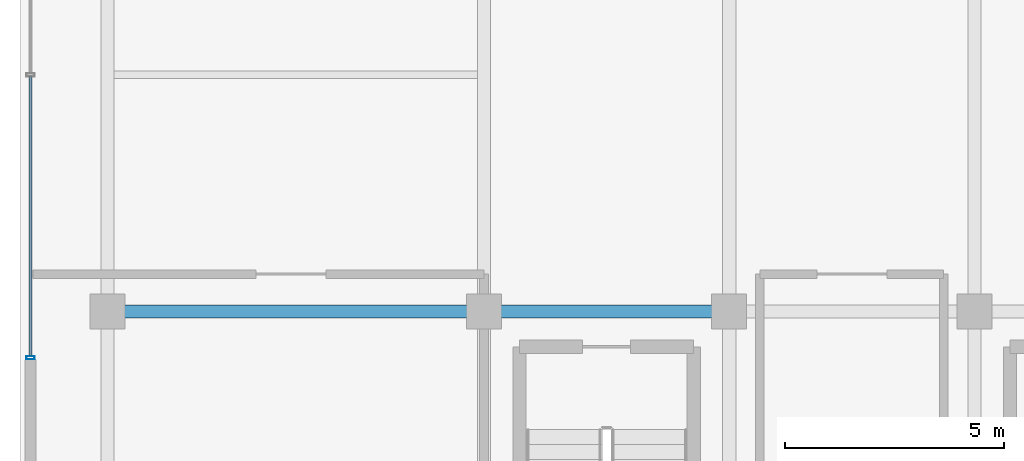
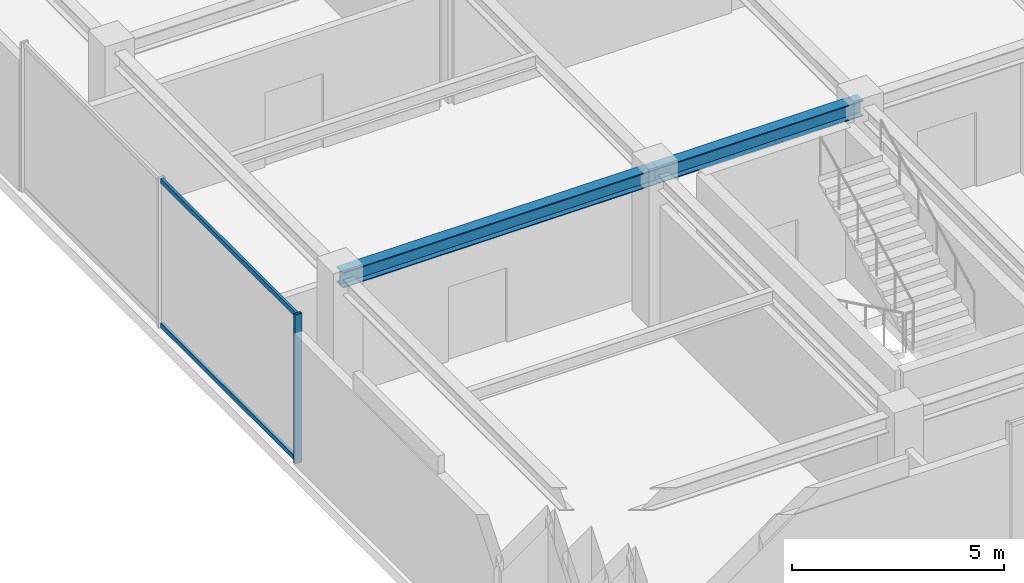
# One storey, part 3 of 18: 3 members, 2 beams, 1 element without a shape of its own.
"""IFC4 building model written with IfcOpenShell, lengths in metres."""

import ifcopenshell
import ifcopenshell.guid

model = None  # the IFC model being written
_history = None  # IfcOwnerHistory: only IFC2X3 demands one
_inside = {}  # id of a spatial element -> (the spatial element, [elements in it])
_under = {}  # id of a project, library or spatial element -> (it, [spatial elements below it])
_declared = {}  # id of a project -> (the project, [libraries it declares])
_typed = {}  # id of a type object -> (the type object, [elements of that type])
_made_of = {}  # id of a material, layer set ... -> (it, [elements and type objects made of it])


def new_model(schema):
    """Start an empty IFC model of exactly this schema.

    Asked for "IFC4X3", IfcOpenShell would pick the latest addendum, in which some entities
    have other attributes; the version numbers below select the first issue.
    IFC2X3 requires an IfcOwnerHistory on every rooted entity: one is made here for all.
    """
    global model, _history
    if schema == "IFC4X3":
        model = ifcopenshell.file(schema_version=(4, 3, 0, 0))
    else:
        model = ifcopenshell.file(schema=schema)
    _inside.clear()
    _under.clear()
    _declared.clear()
    _typed.clear()
    _made_of.clear()
    _history = None
    if model.schema == "IFC2X3":
        org = make("IfcOrganization", Name="unknown")
        user = make(
            "IfcPersonAndOrganization",
            ThePerson=make("IfcPerson", FamilyName="unknown"),
            TheOrganization=org,
        )
        app = make(
            "IfcApplication",
            ApplicationDeveloper=org,
            Version="unknown",
            ApplicationFullName="unknown",
            ApplicationIdentifier="unknown",
        )
        _history = make(
            "IfcOwnerHistory",
            OwningUser=user,
            OwningApplication=app,
            ChangeAction="ADDED",
            CreationDate=0,
        )
    return model


def make(cls, **values):
    """One entity of the class cls with the attributes given. An attribute that is None is left unset."""
    return model.create_entity(
        cls, **{name: value for name, value in values.items() if value is not None}
    )


def rooted(cls, **values):
    """An entity with a GlobalId (a new one), such as an element, a storey or a relation."""
    return make(cls, GlobalId=ifcopenshell.guid.new(), OwnerHistory=_history, **values)


def si_unit(unit_type, name, prefix=None):
    """IfcSIUnit, for example si_unit("LENGTHUNIT", "METRE", prefix="MILLI")."""
    return make("IfcSIUnit", UnitType=unit_type, Prefix=prefix, Name=name)


def assignment(units):
    """IfcUnitAssignment: the units of a project."""
    return None if units is None else make("IfcUnitAssignment", Units=units)


def point(xyz):
    """IfcCartesianPoint."""
    return None if xyz is None else make("IfcCartesianPoint", Coordinates=xyz)


def direction(xyz):
    """IfcDirection."""
    return None if xyz is None else make("IfcDirection", DirectionRatios=xyz)


def frame(location, z_axis=None, x_axis=None):
    """IfcAxis2Placement3D, a coordinate frame: its origin and axes. An axis left out is left unset."""
    return make(
        "IfcAxis2Placement3D",
        Location=point(location),
        Axis=direction(z_axis),
        RefDirection=direction(x_axis),
    )


def frame_2d(location, x_axis=None):
    """IfcAxis2Placement2D, a coordinate frame in the plane: its origin and x axis."""
    return make(
        "IfcAxis2Placement2D", Location=point(location), RefDirection=direction(x_axis)
    )


def origin():
    """The frame at (0, 0, 0) with its axes left unset."""
    return frame((0.0, 0.0, 0.0))


def origin_2d():
    """The frame at (0, 0) in the plane with its x axis left unset."""
    return frame_2d((0.0, 0.0))


def place(relative_to, where):
    """IfcLocalPlacement: puts the frame where relative to a parent placement (None: the world)."""
    return make(
        "IfcLocalPlacement", PlacementRelTo=relative_to, RelativePlacement=where
    )


def context(
    kind, dimensions, precision=None, world=None, true_north=None, identifier=None
):
    """IfcGeometricRepresentationContext, for example the 3D "Model" context."""
    return make(
        "IfcGeometricRepresentationContext",
        ContextIdentifier=identifier,
        ContextType=kind,
        CoordinateSpaceDimension=dimensions,
        Precision=precision,
        WorldCoordinateSystem=world,
        TrueNorth=true_north,
    )


def subcontext(parent, identifier, kind, view, scale=None):
    """IfcGeometricRepresentationSubContext, for example "Body" below "Model"."""
    return make(
        "IfcGeometricRepresentationSubContext",
        ContextIdentifier=identifier,
        ContextType=kind,
        ParentContext=parent,
        TargetScale=scale,
        TargetView=view,
    )


def project(units=None, contexts=None):
    """IfcProject with its units and contexts."""
    return rooted(
        "IfcProject",
        Name="project",
        RepresentationContexts=contexts,
        UnitsInContext=assignment(units),
    )


def spatial(cls, under=None, at=None, **own):
    """A site, building, storey or space (cls), placed at a placement, below another one or the project."""
    s = rooted(cls, ObjectPlacement=at, **own)
    if under is not None:
        _under.setdefault(under.id(), (under, []))[1].append(s)
    return s


def profile(cls, at=None, kind="AREA", **sizes):
    """A parametric profile (cls). Its sizes go by their IFC names, for example OverallWidth=200.0."""
    return make(cls, ProfileType=kind, Position=at, **sizes)


def hollow_rectangle(**sizes):
    """IfcRectangleHollowProfileDef."""
    return profile("IfcRectangleHollowProfileDef", **sizes)


def i_section(**sizes):
    """IfcIShapeProfileDef."""
    return profile("IfcIShapeProfileDef", **sizes)


def extrude(swept, where, along, depth):
    """IfcExtrudedAreaSolid: the profile swept, set in the frame where, extruded along a direction by depth."""
    return make(
        "IfcExtrudedAreaSolid",
        SweptArea=swept,
        Position=where,
        ExtrudedDirection=direction(along),
        Depth=depth,
    )


def shape(context_of_items, identifier, shape_type, items):
    """IfcShapeRepresentation: the items that make up one representation, for example the "Body"."""
    return make(
        "IfcShapeRepresentation",
        ContextOfItems=context_of_items,
        RepresentationIdentifier=identifier,
        RepresentationType=shape_type,
        Items=items,
    )


def source(mapping_origin, context_of_items, identifier, shape_type, items):
    """IfcRepresentationMap: a shape defined once, which mapped items show again and again."""
    return make(
        "IfcRepresentationMap",
        MappingOrigin=mapping_origin,
        MappedRepresentation=shape(context_of_items, identifier, shape_type, items),
    )


def transform(
    local_origin,
    x_axis=None,
    y_axis=None,
    z_axis=None,
    scale=None,
    scale2=None,
    scale3=None,
    uniform=True,
):
    """IfcCartesianTransformationOperator3D, or its non-uniform kind. x_axis, y_axis, z_axis: its Axis1, 2, 3."""
    if uniform:
        return make(
            "IfcCartesianTransformationOperator3D",
            Axis1=direction(x_axis),
            Axis2=direction(y_axis),
            LocalOrigin=point(local_origin),
            Scale=scale,
            Axis3=direction(z_axis),
        )
    return make(
        "IfcCartesianTransformationOperator3DnonUniform",
        Axis1=direction(x_axis),
        Axis2=direction(y_axis),
        LocalOrigin=point(local_origin),
        Scale=scale,
        Axis3=direction(z_axis),
        Scale2=scale2,
        Scale3=scale3,
    )


def mapped(mapping_source, mapping_target):
    """IfcMappedItem: shows the shape of a source again, moved by a transform."""
    return make(
        "IfcMappedItem", MappingSource=mapping_source, MappingTarget=mapping_target
    )


def material(Name=None, Category=None):
    """IfcMaterial."""
    return make("IfcMaterial", Name=Name, Category=Category)


def material_profile(
    of_material, cross_section, Name=None, Category=None, Priority=None
):
    """IfcMaterialProfile: a cross section and its material."""
    return make(
        "IfcMaterialProfile",
        Name=Name,
        Material=of_material,
        Profile=cross_section,
        Priority=Priority,
        Category=Category,
    )


def profile_set(profiles, Name=None, composite=None):
    """IfcMaterialProfileSet."""
    return make(
        "IfcMaterialProfileSet",
        Name=Name,
        MaterialProfiles=profiles,
        CompositeProfile=composite,
    )


def made_of(thing, what):
    """Note that an element or type object is made of a material, layer set ...; save() writes the relation."""
    if what is not None:
        _made_of.setdefault(what.id(), (what, []))[1].append(thing)
    return thing


def type_object(cls, material=None, **own):
    """A type object (cls), such as IfcWallType, which elements share."""
    return made_of(rooted(cls, **own), material)


def element(
    cls,
    number,
    at=None,
    inside=None,
    cuts=None,
    type_object=None,
    material=None,
    context=None,
    identifier="Body",
    shape_type=None,
    held_by="IfcProductDefinitionShape",
    body=None,
    shapes=None,
    **own,
):
    """One element of the class cls, such as IfcWall. Its Tag is "e" and its number.

    at: its placement. inside: the storey or other place that contains it. cuts: it is an
    opening in that element (IfcRelVoidsElement). A single representation is given by context,
    identifier, shape_type and body (its items); several are given by shapes. held_by: the class
    of the entity that holds the representations. save() writes the other relations.
    """
    e = rooted(cls, Tag="e%d" % number, ObjectPlacement=at, **own)
    if body is not None:
        shapes = [shape(context, identifier, shape_type, body)]
    if shapes is not None:
        e.Representation = make(held_by, Representations=shapes)
    if inside is not None:
        _inside.setdefault(inside.id(), (inside, []))[1].append(e)
    if cuts is not None:
        rooted(
            "IfcRelVoidsElement", RelatingBuildingElement=cuts, RelatedOpeningElement=e
        )
    if type_object is not None:
        _typed.setdefault(type_object.id(), (type_object, []))[1].append(e)
    return made_of(e, material)


def aggregate(whole, parts):
    """IfcRelAggregates: a whole, such as a stair, and the parts it consists of."""
    return rooted("IfcRelAggregates", RelatingObject=whole, RelatedObjects=parts)


def save(model, path):
    """Write the relations noted so far, then the file.

    IfcRelAggregates (storeys below a building ...), IfcRelContainedInSpatialStructure (elements
    in a storey), IfcRelDefinesByType, IfcRelAssociatesMaterial and IfcRelDeclares: one each for
    every whole, place, type object, material and project.
    """
    for whole, parts in _under.values():
        aggregate(whole, parts)
    for where, things in _inside.values():
        rooted(
            "IfcRelContainedInSpatialStructure",
            RelatedElements=things,
            RelatingStructure=where,
        )
    for kind, things in _typed.values():
        rooted("IfcRelDefinesByType", RelatedObjects=things, RelatingType=kind)
    for what, things in _made_of.values():
        rooted("IfcRelAssociatesMaterial", RelatedObjects=things, RelatingMaterial=what)
    for by, libraries in _declared.values():
        rooted("IfcRelDeclares", RelatingContext=by, RelatedDefinitions=libraries)
    model.write(path)


model = new_model("IFC4")

# Units and contexts
model_context = context("Model", 3, precision=1e-05, world=origin(), true_north=direction((0.0, 1.0)))
body_context = subcontext(model_context, "Body", "Model", "MODEL_VIEW")
ifc_project = project(units=[si_unit("LENGTHUNIT", "METRE"), si_unit("AREAUNIT", "SQUARE_METRE"), si_unit("VOLUMEUNIT", "CUBIC_METRE"), si_unit("PLANEANGLEUNIT", "RADIAN"), si_unit("MASSUNIT", "GRAM", prefix="KILO")], contexts=[model_context])

# Site, building, storey
site_placement = place(None, origin())
site = spatial("IfcSite", under=ifc_project, at=site_placement, CompositionType="ELEMENT")
building_placement = place(site_placement, origin())
building = spatial("IfcBuilding", under=site, at=building_placement, Name="Nahalor Promenade Grand Hotel", CompositionType="ELEMENT")
storey_placement = place(building_placement, frame((0.0, 0.0, 366.25)))
storey = spatial("IfcBuildingStorey", under=building, at=storey_placement, Name="L93", CompositionType="ELEMENT", Elevation=366.25)

# Beams
ifc_material_1 = material(Name="Steel S355JR", Category="steel")
ifc_material_profile_1 = material_profile(ifc_material_1, i_section(OverallWidth=0.3, OverallDepth=0.45, WebThickness=0.014, FlangeThickness=0.026, at=origin_2d()), Name="HEB 450")
ifc_profile_set_1 = profile_set([ifc_material_profile_1], Name="Steel S355JR")
beam_type = type_object("IfcBeamType", Name="Beam-Girder-HEB450", PredefinedType="BEAM", material=ifc_profile_set_1)
shared_shape_1 = source(origin(), body_context, "Body", "SweptSolid", [
    extrude(i_section(OverallWidth=0.3, OverallDepth=0.45, WebThickness=0.014, FlangeThickness=0.026, at=origin_2d()), origin(), (0.0, 0.0, 1.0), 8.60009765625),
])
beam_1_placement = place(storey_placement, frame((-17.0, -5.39990234375, 4.074951171875), z_axis=(1.0, 0.0, 0.0), x_axis=(0.0, 1.0, 0.0)))
element("IfcBeam", 1, at=beam_1_placement, inside=storey, type_object=beam_type, Name="BM-L93-GX-1-0", PredefinedType="BEAM", context=body_context, shape_type="MappedRepresentation", body=[
    mapped(shared_shape_1, transform((0.0, 0.0, 0.0), scale=1.0)),
])
shared_shape_2 = source(origin(), body_context, "Body", "SweptSolid", [
    extrude(i_section(OverallWidth=0.3, OverallDepth=0.45, WebThickness=0.014, FlangeThickness=0.026, at=origin_2d()), origin(), (0.0, 0.0, 1.0), 5.599853515625),
])
beam_2_placement = place(storey_placement, frame((-8.39990234375, -5.39990234375, 4.074951171875), z_axis=(1.0, 0.0, 0.0), x_axis=(0.0, 1.0, 0.0)))
element("IfcBeam", 2, at=beam_2_placement, inside=storey, type_object=beam_type, Name="BM-L93-GX-1-1", PredefinedType="BEAM", context=body_context, shape_type="MappedRepresentation", body=[
    mapped(shared_shape_2, transform((0.0, 0.0, 0.0), scale=1.0)),
])

# Curtain wall, members
ifc_material_2 = material(Name="Anodised Bronze Aluminium EN AW-6063 T6", Category="aluminium")
curtain_wall_type = type_object("IfcCurtainWallType", Name="CW6 Crown Botanical Conservatory Curtain Wall", PredefinedType="USERDEFINED", material=ifc_material_2)
curtain_wall_placement = place(storey_placement, origin())
curtain_wall = element("IfcCurtainWall", 3, at=curtain_wall_placement, inside=storey, type_object=curtain_wall_type, Name="L93 Curtain Wall CW-L93-W", ObjectType="UNITISED_CURTAIN_WALL", PredefinedType="USERDEFINED")
ifc_material_profile_2 = material_profile(ifc_material_2, hollow_rectangle(XDim=0.075, YDim=0.135, WallThickness=0.004, at=origin_2d()), Name="CWT 75x135x4")
ifc_profile_set_2 = profile_set([ifc_material_profile_2], Name="Anodised Bronze Aluminium EN AW-6063 T6")
member_type_1 = type_object("IfcMemberType", Name="CWT6 Conservatory Transom 75x135", PredefinedType="USERDEFINED", material=ifc_profile_set_2)
shared_shape_3 = source(origin(), body_context, "Body", "SweptSolid", [
    extrude(hollow_rectangle(XDim=0.075, YDim=0.135, WallThickness=0.004, at=origin_2d()), origin(), (0.0, 0.0, 1.0), 6.387451171875),
])
member_1_placement = place(storey_placement, frame((-18.760009765625, -6.425048828125, 0.0673828125), z_axis=(0.0, 1.0, 0.0), x_axis=(-1.0, 0.0, 0.0)))
member_1 = element("IfcMember", 4, at=member_1_placement, type_object=member_type_1, Name="CW-L93-W Transom 0-0", ObjectType="TRANSOM", PredefinedType="USERDEFINED", context=body_context, shape_type="MappedRepresentation", body=[
    mapped(shared_shape_3, transform((0.0, 0.0, 0.0), scale=1.0)),
])
member_2_placement = place(storey_placement, frame((-18.760009765625, -6.425048828125, 4.232421875), z_axis=(0.0, 1.0, 0.0), x_axis=(-1.0, 0.0, 0.0)))
member_2 = element("IfcMember", 5, at=member_2_placement, type_object=member_type_1, Name="CW-L93-W Transom 0-1", ObjectType="TRANSOM", PredefinedType="USERDEFINED", context=body_context, shape_type="MappedRepresentation", body=[
    mapped(shared_shape_3, transform((0.0, 0.0, 0.0), scale=1.0)),
])
ifc_material_profile_3 = material_profile(ifc_material_2, hollow_rectangle(XDim=0.075, YDim=0.19, WallThickness=0.005, at=origin_2d()), Name="CWM 75x190x5")
ifc_profile_set_3 = profile_set([ifc_material_profile_3], Name="Anodised Bronze Aluminium EN AW-6063 T6")
member_type_2 = type_object("IfcMemberType", Name="CWM6 Conservatory Bronze Mullion 75x190", PredefinedType="MULLION", material=ifc_profile_set_3)
shared_shape_4 = source(origin(), body_context, "Body", "SweptSolid", [
    extrude(hollow_rectangle(XDim=0.075, YDim=0.19, WallThickness=0.005, at=origin_2d()), origin(), (0.0, 0.0, 1.0), 4.300048828125),
])
member_3_placement = place(storey_placement, frame((-18.760009765625, -6.46240234375, 0.0), z_axis=(0.0, 0.0, 1.0), x_axis=(0.0, 1.0, 0.0)))
member_3 = element("IfcMember", 6, at=member_3_placement, type_object=member_type_2, Name="CW-L93-W Mullion 0", PredefinedType="MULLION", context=body_context, shape_type="MappedRepresentation", body=[
    mapped(shared_shape_4, transform((0.0, 0.0, 0.0), scale=1.0)),
])
aggregate(curtain_wall, [member_3, member_1, member_2])

save(model, "model.ifc")
